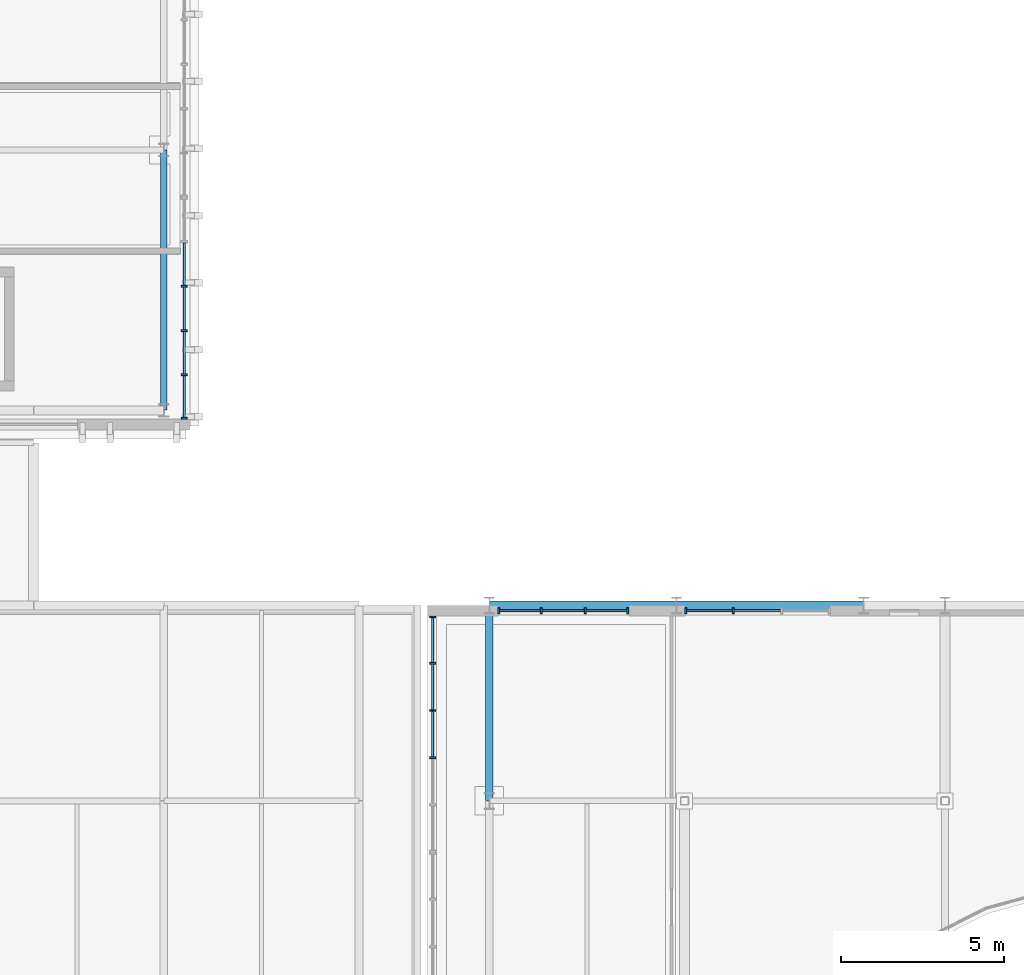
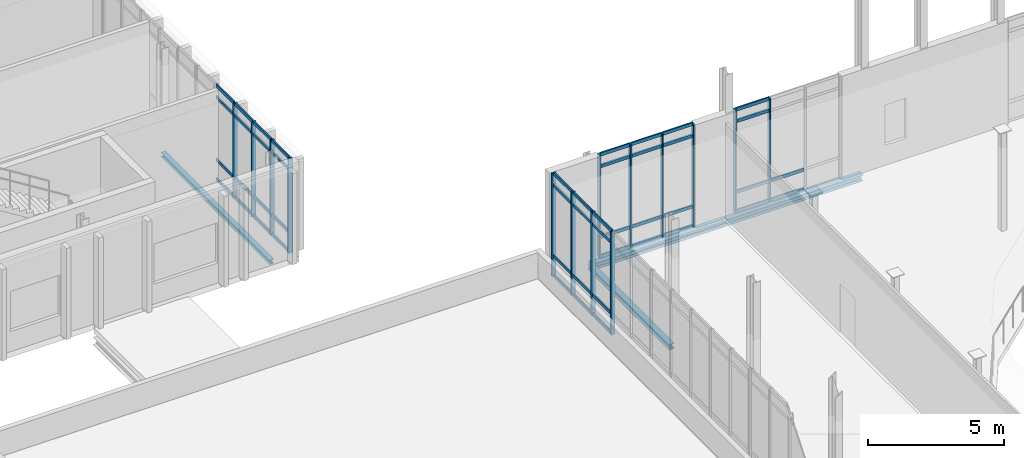
# One storey, part 19 of 86: 60 members, 4 beams, 4 elements without a shape of their own.
"""IFC4 building model written with IfcOpenShell, lengths in metres."""

from ifc_helpers import new_model, si_unit, direction, frame, origin, origin_2d, place, context, subcontext, project, spatial, rectangle, i_section, extrude, material, material_profile, profile_set, type_object, element, aggregate, save


model = new_model("IFC4")

# Units and contexts
model_context = context("Model", 3, precision=1e-05, world=origin(), true_north=direction((0.0, 1.0)))
body_context = subcontext(model_context, "Body", "Model", "MODEL_VIEW")
ifc_project = project(units=[si_unit("LENGTHUNIT", "METRE"), si_unit("AREAUNIT", "SQUARE_METRE"), si_unit("VOLUMEUNIT", "CUBIC_METRE"), si_unit("PLANEANGLEUNIT", "RADIAN"), si_unit("MASSUNIT", "GRAM", prefix="KILO")], contexts=[model_context])

# Site, building, storey
site_placement = place(None, origin())
site = spatial("IfcSite", under=ifc_project, at=site_placement, CompositionType="ELEMENT")
building_placement = place(site_placement, origin())
building = spatial("IfcBuilding", under=site, at=building_placement, Name="Cymarion Research Institute", CompositionType="ELEMENT")
storey_placement = place(building_placement, frame((0.0, 0.0, 13.800048828125)))
storey = spatial("IfcBuildingStorey", under=building, at=storey_placement, Name="L03", CompositionType="ELEMENT", Elevation=13.800048828125)

# Curtain wall, members
ifc_material_1 = material(Name="Anodised aluminium unitised curtain wall with Low-E glazing", Category="aluminium")
curtain_wall_type_1 = type_object("IfcCurtainWallType", Name="UNITISED CURTAIN WALL CW32 4460X4620", PredefinedType="NOTDEFINED", material=ifc_material_1)
curtain_wall_1_placement = place(storey_placement, origin())
curtain_wall_1 = element("IfcCurtainWall", 1, at=curtain_wall_1_placement, inside=storey, type_object=curtain_wall_type_1, Name="L03 V2 unitised curtain wall CW32 #145", PredefinedType="NOTDEFINED")
ifc_material_2 = material(Name="Anodised aluminium framing", Category="aluminium")
ifc_material_profile_1 = material_profile(ifc_material_2, rectangle(XDim=0.06005859375, YDim=0.179931640625, at=origin_2d()), Name="ALU MULLION 60x180")
ifc_profile_set_1 = profile_set([ifc_material_profile_1], Name="Anodised aluminium framing")
member_type_1 = type_object("IfcMemberType", Name="CURTAIN WALL MULLION ML01 60X180", PredefinedType="MULLION", material=ifc_profile_set_1)
member_1_placement = place(storey_placement, frame((64.09814453125, 41.340087890625, 0.0), z_axis=(0.0, 0.0, 1.0), x_axis=(-1.0, 0.0, 0.0)))
member_1 = element("IfcMember", 2, at=member_1_placement, type_object=member_type_1, Name="CW32 mullion 3", PredefinedType="MULLION", context=body_context, shape_type="SweptSolid", body=[
    extrude(rectangle(XDim=0.06005859375, YDim=0.179931640625, at=origin_2d()), origin(), (0.0, 0.0, 1.0), 4.619873046875),
])
member_2_placement = place(storey_placement, frame((62.639892578125, 41.340087890625, 0.0), z_axis=(0.0, 0.0, 1.0), x_axis=(-1.0, 0.0, 0.0)))
member_2 = element("IfcMember", 3, at=member_2_placement, type_object=member_type_1, Name="CW32 mullion 4", PredefinedType="MULLION", context=body_context, shape_type="SweptSolid", body=[
    extrude(rectangle(XDim=0.06005859375, YDim=0.179931640625, at=origin_2d()), origin(), (0.0, 0.0, 1.0), 4.619873046875),
])

curtain_wall_type_2 = type_object("IfcCurtainWallType", Name="UNITISED CURTAIN WALL CW33 4030X4620", PredefinedType="NOTDEFINED", material=ifc_material_1)
curtain_wall_2_placement = place(storey_placement, origin())
curtain_wall_2 = element("IfcCurtainWall", 4, at=curtain_wall_2_placement, inside=storey, type_object=curtain_wall_type_2, Name="L03 V2 unitised curtain wall CW33 #146", PredefinedType="NOTDEFINED")
member_3_placement = place(storey_placement, frame((60.857421875, 41.340087890625, 0.0), z_axis=(0.0, 0.0, 1.0), x_axis=(-1.0, 0.0, 0.0)))
member_3 = element("IfcMember", 5, at=member_3_placement, type_object=member_type_1, Name="CW33 mullion 1", PredefinedType="MULLION", context=body_context, shape_type="SweptSolid", body=[
    extrude(rectangle(XDim=0.06005859375, YDim=0.179931640625, at=origin_2d()), origin(), (0.0, 0.0, 1.0), 4.619873046875),
])
member_4_placement = place(storey_placement, frame((59.544921875, 41.340087890625, 0.0), z_axis=(0.0, 0.0, 1.0), x_axis=(-1.0, 0.0, 0.0)))
member_4 = element("IfcMember", 6, at=member_4_placement, type_object=member_type_1, Name="CW33 mullion 2", PredefinedType="MULLION", context=body_context, shape_type="SweptSolid", body=[
    extrude(rectangle(XDim=0.06005859375, YDim=0.179931640625, at=origin_2d()), origin(), (0.0, 0.0, 1.0), 4.619873046875),
])
member_5_placement = place(storey_placement, frame((58.202392578125, 41.340087890625, 0.0), z_axis=(0.0, 0.0, 1.0), x_axis=(-1.0, 0.0, 0.0)))
member_5 = element("IfcMember", 7, at=member_5_placement, type_object=member_type_1, Name="CW33 mullion 3", PredefinedType="MULLION", context=body_context, shape_type="SweptSolid", body=[
    extrude(rectangle(XDim=0.06005859375, YDim=0.179931640625, at=origin_2d()), origin(), (0.0, 0.0, 1.0), 4.619873046875),
])
member_6_placement = place(storey_placement, frame((56.889892578125, 41.340087890625, 0.0), z_axis=(0.0, 0.0, 1.0), x_axis=(-1.0, 0.0, 0.0)))
member_6 = element("IfcMember", 8, at=member_6_placement, type_object=member_type_1, Name="CW33 mullion 4", PredefinedType="MULLION", context=body_context, shape_type="SweptSolid", body=[
    extrude(rectangle(XDim=0.06005859375, YDim=0.179931640625, at=origin_2d()), origin(), (0.0, 0.0, 1.0), 4.619873046875),
])

curtain_wall_type_3 = type_object("IfcCurtainWallType", Name="UNITISED CURTAIN WALL CW34 7260X4620", PredefinedType="NOTDEFINED", material=ifc_material_1)
curtain_wall_3_placement = place(storey_placement, origin())
curtain_wall_3 = element("IfcCurtainWall", 9, at=curtain_wall_3_placement, inside=storey, type_object=curtain_wall_type_3, Name="L03 V2 unitised curtain wall CW34 #147", PredefinedType="NOTDEFINED")
member_7_placement = place(storey_placement, frame((54.860107421875, 41.14990234375, 0.0), z_axis=(0.0, 0.0, 1.0), x_axis=(0.0, -1.0, 0.0)))
member_7 = element("IfcMember", 10, at=member_7_placement, type_object=member_type_1, Name="CW34 mullion 1", PredefinedType="MULLION", context=body_context, shape_type="SweptSolid", body=[
    extrude(rectangle(XDim=0.06005859375, YDim=0.179931640625, at=origin_2d()), origin(), (0.0, 0.0, 1.0), 4.619873046875),
])
member_8_placement = place(storey_placement, frame((54.860107421875, 39.728759765625, 0.0), z_axis=(0.0, 0.0, 1.0), x_axis=(0.0, -1.0, 0.0)))
member_8 = element("IfcMember", 11, at=member_8_placement, type_object=member_type_1, Name="CW34 mullion 2", PredefinedType="MULLION", context=body_context, shape_type="SweptSolid", body=[
    extrude(rectangle(XDim=0.06005859375, YDim=0.179931640625, at=origin_2d()), origin(), (0.0, 0.0, 1.0), 4.619873046875),
])
member_9_placement = place(storey_placement, frame((54.860107421875, 38.277587890625, 0.0), z_axis=(0.0, 0.0, 1.0), x_axis=(0.0, -1.0, 0.0)))
member_9 = element("IfcMember", 12, at=member_9_placement, type_object=member_type_1, Name="CW34 mullion 3", PredefinedType="MULLION", context=body_context, shape_type="SweptSolid", body=[
    extrude(rectangle(XDim=0.06005859375, YDim=0.179931640625, at=origin_2d()), origin(), (0.0, 0.0, 1.0), 4.619873046875),
])
member_10_placement = place(storey_placement, frame((54.860107421875, 36.826416015625, 0.0), z_axis=(0.0, 0.0, 1.0), x_axis=(0.0, -1.0, 0.0)))
member_10 = element("IfcMember", 13, at=member_10_placement, type_object=member_type_1, Name="CW34 mullion 4", PredefinedType="MULLION", context=body_context, shape_type="SweptSolid", body=[
    extrude(rectangle(XDim=0.06005859375, YDim=0.179931640625, at=origin_2d()), origin(), (0.0, 0.0, 1.0), 4.619873046875),
])

curtain_wall_type_4 = type_object("IfcCurtainWallType", Name="UNITISED CURTAIN WALL CW20 6820X4250", PredefinedType="NOTDEFINED", material=ifc_material_1)
curtain_wall_4_placement = place(storey_placement, origin())
curtain_wall_4 = element("IfcCurtainWall", 14, at=curtain_wall_4_placement, inside=storey, type_object=curtain_wall_type_4, Name="L03 V4 unitised curtain wall CW20 #152", PredefinedType="NOTDEFINED")
member_11_placement = place(storey_placement, frame((47.22998046875, 47.251953125, 0.0), z_axis=(0.0, 0.0, 1.0), x_axis=(0.0, 1.0, 0.0)))
member_11 = element("IfcMember", 15, at=member_11_placement, type_object=member_type_1, Name="CW20 mullion 1", PredefinedType="MULLION", context=body_context, shape_type="SweptSolid", body=[
    extrude(rectangle(XDim=0.06005859375, YDim=0.179931640625, at=origin_2d()), origin(), (0.0, 0.0, 1.0), 4.25),
])
member_12_placement = place(storey_placement, frame((47.22998046875, 48.5859375, 0.0), z_axis=(0.0, 0.0, 1.0), x_axis=(0.0, 1.0, 0.0)))
member_12 = element("IfcMember", 16, at=member_12_placement, type_object=member_type_1, Name="CW20 mullion 2", PredefinedType="MULLION", context=body_context, shape_type="SweptSolid", body=[
    extrude(rectangle(XDim=0.06005859375, YDim=0.179931640625, at=origin_2d()), origin(), (0.0, 0.0, 1.0), 4.25),
])
member_13_placement = place(storey_placement, frame((47.22998046875, 49.94970703125, 0.0), z_axis=(0.0, 0.0, 1.0), x_axis=(0.0, 1.0, 0.0)))
member_13 = element("IfcMember", 17, at=member_13_placement, type_object=member_type_1, Name="CW20 mullion 3", PredefinedType="MULLION", context=body_context, shape_type="SweptSolid", body=[
    extrude(rectangle(XDim=0.06005859375, YDim=0.179931640625, at=origin_2d()), origin(), (0.0, 0.0, 1.0), 4.25),
])
member_14_placement = place(storey_placement, frame((47.22998046875, 51.313720703125, 0.0), z_axis=(0.0, 0.0, 1.0), x_axis=(0.0, 1.0, 0.0)))
member_14 = element("IfcMember", 18, at=member_14_placement, type_object=member_type_1, Name="CW20 mullion 4", PredefinedType="MULLION", context=body_context, shape_type="SweptSolid", body=[
    extrude(rectangle(XDim=0.06005859375, YDim=0.179931640625, at=origin_2d()), origin(), (0.0, 0.0, 1.0), 4.25),
])

# Member
ifc_material_profile_2 = material_profile(ifc_material_2, rectangle(XDim=0.06005859375, YDim=0.14990234375, at=origin_2d()), Name="ALU TRANSOM 60x150")
ifc_profile_set_2 = profile_set([ifc_material_profile_2], Name="Anodised aluminium framing")
member_type_2 = type_object("IfcMemberType", Name="CURTAIN WALL TRANSOM TR01 60X150", PredefinedType="USERDEFINED", material=ifc_profile_set_2)
member_15_placement = place(storey_placement, frame((65.556396484375, 41.340087890625, 0.030029296875), z_axis=(-1.0, 0.0, 0.0), x_axis=(0.0, -1.0, 0.0)))
member_15 = element("IfcMember", 19, at=member_15_placement, type_object=member_type_2, Name="CW32 transom 2.1", ObjectType="TRANSOM", PredefinedType="USERDEFINED", context=body_context, shape_type="SweptSolid", body=[
    extrude(rectangle(XDim=0.06005859375, YDim=0.14990234375, at=origin_2d()), origin(), (0.0, 0.0, 1.0), 1.42822265625),
])

member_16_placement = place(storey_placement, frame((65.556396484375, 41.340087890625, 0.89990234375), z_axis=(-1.0, 0.0, 0.0), x_axis=(0.0, -1.0, 0.0)))
member_16 = element("IfcMember", 20, at=member_16_placement, type_object=member_type_2, Name="CW32 transom 2.2", ObjectType="TRANSOM", PredefinedType="USERDEFINED", context=body_context, shape_type="SweptSolid", body=[
    extrude(rectangle(XDim=0.06005859375, YDim=0.14990234375, at=origin_2d()), origin(), (0.0, 0.0, 1.0), 1.42822265625),
])

member_17_placement = place(storey_placement, frame((64.068115234375, 41.340087890625, 0.030029296875), z_axis=(-1.0, 0.0, 0.0), x_axis=(0.0, -1.0, 0.0)))
member_17 = element("IfcMember", 21, at=member_17_placement, type_object=member_type_2, Name="CW32 transom 3.1", ObjectType="TRANSOM", PredefinedType="USERDEFINED", context=body_context, shape_type="SweptSolid", body=[
    extrude(rectangle(XDim=0.06005859375, YDim=0.14990234375, at=origin_2d()), origin(), (0.0, 0.0, 1.0), 1.398193359375),
])

member_18_placement = place(storey_placement, frame((64.068115234375, 41.340087890625, 0.89990234375), z_axis=(-1.0, 0.0, 0.0), x_axis=(0.0, -1.0, 0.0)))
member_18 = element("IfcMember", 22, at=member_18_placement, type_object=member_type_2, Name="CW32 transom 3.2", ObjectType="TRANSOM", PredefinedType="USERDEFINED", context=body_context, shape_type="SweptSolid", body=[
    extrude(rectangle(XDim=0.06005859375, YDim=0.14990234375, at=origin_2d()), origin(), (0.0, 0.0, 1.0), 1.398193359375),
])

member_19_placement = place(storey_placement, frame((64.068115234375, 41.340087890625, 4.070068359375), z_axis=(-1.0, 0.0, 0.0), x_axis=(0.0, -1.0, 0.0)))
member_19 = element("IfcMember", 23, at=member_19_placement, type_object=member_type_2, Name="CW32 transom 3.3", ObjectType="TRANSOM", PredefinedType="USERDEFINED", context=body_context, shape_type="SweptSolid", body=[
    extrude(rectangle(XDim=0.06005859375, YDim=0.14990234375, at=origin_2d()), origin(), (0.0, 0.0, 1.0), 1.398193359375),
])

member_20_placement = place(storey_placement, frame((64.068115234375, 41.340087890625, 4.58984375), z_axis=(-1.0, 0.0, 0.0), x_axis=(0.0, -1.0, 0.0)))
member_20 = element("IfcMember", 24, at=member_20_placement, type_object=member_type_2, Name="CW32 transom 3.4", ObjectType="TRANSOM", PredefinedType="USERDEFINED", context=body_context, shape_type="SweptSolid", body=[
    extrude(rectangle(XDim=0.06005859375, YDim=0.14990234375, at=origin_2d()), origin(), (0.0, 0.0, 1.0), 1.398193359375),
])

aggregate(curtain_wall_1, [member_1, member_2, member_15, member_16, member_17, member_18, member_19, member_20])

member_21_placement = place(storey_placement, frame((60.827392578125, 41.340087890625, 0.030029296875), z_axis=(-1.0, 0.0, 0.0), x_axis=(0.0, -1.0, 0.0)))
member_21 = element("IfcMember", 25, at=member_21_placement, type_object=member_type_2, Name="CW33 transom 1.1", ObjectType="TRANSOM", PredefinedType="USERDEFINED", context=body_context, shape_type="SweptSolid", body=[
    extrude(rectangle(XDim=0.06005859375, YDim=0.14990234375, at=origin_2d()), origin(), (0.0, 0.0, 1.0), 1.25244140625),
])

member_22_placement = place(storey_placement, frame((60.827392578125, 41.340087890625, 0.89990234375), z_axis=(-1.0, 0.0, 0.0), x_axis=(0.0, -1.0, 0.0)))
member_22 = element("IfcMember", 26, at=member_22_placement, type_object=member_type_2, Name="CW33 transom 1.2", ObjectType="TRANSOM", PredefinedType="USERDEFINED", context=body_context, shape_type="SweptSolid", body=[
    extrude(rectangle(XDim=0.06005859375, YDim=0.14990234375, at=origin_2d()), origin(), (0.0, 0.0, 1.0), 1.25244140625),
])

member_23_placement = place(storey_placement, frame((60.827392578125, 41.340087890625, 4.070068359375), z_axis=(-1.0, 0.0, 0.0), x_axis=(0.0, -1.0, 0.0)))
member_23 = element("IfcMember", 27, at=member_23_placement, type_object=member_type_2, Name="CW33 transom 1.3", ObjectType="TRANSOM", PredefinedType="USERDEFINED", context=body_context, shape_type="SweptSolid", body=[
    extrude(rectangle(XDim=0.06005859375, YDim=0.14990234375, at=origin_2d()), origin(), (0.0, 0.0, 1.0), 1.25244140625),
])

member_24_placement = place(storey_placement, frame((60.827392578125, 41.340087890625, 4.58984375), z_axis=(-1.0, 0.0, 0.0), x_axis=(0.0, -1.0, 0.0)))
member_24 = element("IfcMember", 28, at=member_24_placement, type_object=member_type_2, Name="CW33 transom 1.4", ObjectType="TRANSOM", PredefinedType="USERDEFINED", context=body_context, shape_type="SweptSolid", body=[
    extrude(rectangle(XDim=0.06005859375, YDim=0.14990234375, at=origin_2d()), origin(), (0.0, 0.0, 1.0), 1.25244140625),
])

member_25_placement = place(storey_placement, frame((59.514892578125, 41.340087890625, 0.030029296875), z_axis=(-1.0, 0.0, 0.0), x_axis=(0.0, -1.0, 0.0)))
member_25 = element("IfcMember", 29, at=member_25_placement, type_object=member_type_2, Name="CW33 transom 2.1", ObjectType="TRANSOM", PredefinedType="USERDEFINED", context=body_context, shape_type="SweptSolid", body=[
    extrude(rectangle(XDim=0.06005859375, YDim=0.14990234375, at=origin_2d()), origin(), (0.0, 0.0, 1.0), 1.282470703125),
])

member_26_placement = place(storey_placement, frame((59.514892578125, 41.340087890625, 0.89990234375), z_axis=(-1.0, 0.0, 0.0), x_axis=(0.0, -1.0, 0.0)))
member_26 = element("IfcMember", 30, at=member_26_placement, type_object=member_type_2, Name="CW33 transom 2.2", ObjectType="TRANSOM", PredefinedType="USERDEFINED", context=body_context, shape_type="SweptSolid", body=[
    extrude(rectangle(XDim=0.06005859375, YDim=0.14990234375, at=origin_2d()), origin(), (0.0, 0.0, 1.0), 1.282470703125),
])

member_27_placement = place(storey_placement, frame((59.514892578125, 41.340087890625, 4.070068359375), z_axis=(-1.0, 0.0, 0.0), x_axis=(0.0, -1.0, 0.0)))
member_27 = element("IfcMember", 31, at=member_27_placement, type_object=member_type_2, Name="CW33 transom 2.3", ObjectType="TRANSOM", PredefinedType="USERDEFINED", context=body_context, shape_type="SweptSolid", body=[
    extrude(rectangle(XDim=0.06005859375, YDim=0.14990234375, at=origin_2d()), origin(), (0.0, 0.0, 1.0), 1.282470703125),
])

member_28_placement = place(storey_placement, frame((59.514892578125, 41.340087890625, 4.58984375), z_axis=(-1.0, 0.0, 0.0), x_axis=(0.0, -1.0, 0.0)))
member_28 = element("IfcMember", 32, at=member_28_placement, type_object=member_type_2, Name="CW33 transom 2.4", ObjectType="TRANSOM", PredefinedType="USERDEFINED", context=body_context, shape_type="SweptSolid", body=[
    extrude(rectangle(XDim=0.06005859375, YDim=0.14990234375, at=origin_2d()), origin(), (0.0, 0.0, 1.0), 1.282470703125),
])

member_29_placement = place(storey_placement, frame((58.17236328125, 41.340087890625, 0.030029296875), z_axis=(-1.0, 0.0, 0.0), x_axis=(0.0, -1.0, 0.0)))
member_29 = element("IfcMember", 33, at=member_29_placement, type_object=member_type_2, Name="CW33 transom 3.1", ObjectType="TRANSOM", PredefinedType="USERDEFINED", context=body_context, shape_type="SweptSolid", body=[
    extrude(rectangle(XDim=0.06005859375, YDim=0.14990234375, at=origin_2d()), origin(), (0.0, 0.0, 1.0), 1.25244140625),
])

member_30_placement = place(storey_placement, frame((58.17236328125, 41.340087890625, 0.89990234375), z_axis=(-1.0, 0.0, 0.0), x_axis=(0.0, -1.0, 0.0)))
member_30 = element("IfcMember", 34, at=member_30_placement, type_object=member_type_2, Name="CW33 transom 3.2", ObjectType="TRANSOM", PredefinedType="USERDEFINED", context=body_context, shape_type="SweptSolid", body=[
    extrude(rectangle(XDim=0.06005859375, YDim=0.14990234375, at=origin_2d()), origin(), (0.0, 0.0, 1.0), 1.25244140625),
])

member_31_placement = place(storey_placement, frame((58.17236328125, 41.340087890625, 4.070068359375), z_axis=(-1.0, 0.0, 0.0), x_axis=(0.0, -1.0, 0.0)))
member_31 = element("IfcMember", 35, at=member_31_placement, type_object=member_type_2, Name="CW33 transom 3.3", ObjectType="TRANSOM", PredefinedType="USERDEFINED", context=body_context, shape_type="SweptSolid", body=[
    extrude(rectangle(XDim=0.06005859375, YDim=0.14990234375, at=origin_2d()), origin(), (0.0, 0.0, 1.0), 1.25244140625),
])

member_32_placement = place(storey_placement, frame((58.17236328125, 41.340087890625, 4.58984375), z_axis=(-1.0, 0.0, 0.0), x_axis=(0.0, -1.0, 0.0)))
member_32 = element("IfcMember", 36, at=member_32_placement, type_object=member_type_2, Name="CW33 transom 3.4", ObjectType="TRANSOM", PredefinedType="USERDEFINED", context=body_context, shape_type="SweptSolid", body=[
    extrude(rectangle(XDim=0.06005859375, YDim=0.14990234375, at=origin_2d()), origin(), (0.0, 0.0, 1.0), 1.25244140625),
])

aggregate(curtain_wall_2, [member_3, member_4, member_5, member_6, member_21, member_22, member_23, member_24, member_25, member_26, member_27, member_28, member_29, member_30, member_31, member_32])

member_33_placement = place(storey_placement, frame((54.860107421875, 41.1201171875, 0.030029296875), z_axis=(0.0, -1.0, 0.0), x_axis=(1.0, 0.0, 0.0)))
member_33 = element("IfcMember", 37, at=member_33_placement, type_object=member_type_2, Name="CW34 transom 1.1", ObjectType="TRANSOM", PredefinedType="USERDEFINED", context=body_context, shape_type="SweptSolid", body=[
    extrude(rectangle(XDim=0.06005859375, YDim=0.14990234375, at=origin_2d()), origin(), (0.0, 0.0, 1.0), 1.361328125),
])

member_34_placement = place(storey_placement, frame((54.860107421875, 41.1201171875, 0.89990234375), z_axis=(0.0, -1.0, 0.0), x_axis=(1.0, 0.0, 0.0)))
member_34 = element("IfcMember", 38, at=member_34_placement, type_object=member_type_2, Name="CW34 transom 1.2", ObjectType="TRANSOM", PredefinedType="USERDEFINED", context=body_context, shape_type="SweptSolid", body=[
    extrude(rectangle(XDim=0.06005859375, YDim=0.14990234375, at=origin_2d()), origin(), (0.0, 0.0, 1.0), 1.361328125),
])

member_35_placement = place(storey_placement, frame((54.860107421875, 41.1201171875, 4.070068359375), z_axis=(0.0, -1.0, 0.0), x_axis=(1.0, 0.0, 0.0)))
member_35 = element("IfcMember", 39, at=member_35_placement, type_object=member_type_2, Name="CW34 transom 1.3", ObjectType="TRANSOM", PredefinedType="USERDEFINED", context=body_context, shape_type="SweptSolid", body=[
    extrude(rectangle(XDim=0.06005859375, YDim=0.14990234375, at=origin_2d()), origin(), (0.0, 0.0, 1.0), 1.361328125),
])

member_36_placement = place(storey_placement, frame((54.860107421875, 41.1201171875, 4.58984375), z_axis=(0.0, -1.0, 0.0), x_axis=(1.0, 0.0, 0.0)))
member_36 = element("IfcMember", 40, at=member_36_placement, type_object=member_type_2, Name="CW34 transom 1.4", ObjectType="TRANSOM", PredefinedType="USERDEFINED", context=body_context, shape_type="SweptSolid", body=[
    extrude(rectangle(XDim=0.06005859375, YDim=0.14990234375, at=origin_2d()), origin(), (0.0, 0.0, 1.0), 1.361328125),
])

member_37_placement = place(storey_placement, frame((54.860107421875, 39.69873046875, 0.030029296875), z_axis=(0.0, -1.0, 0.0), x_axis=(1.0, 0.0, 0.0)))
member_37 = element("IfcMember", 41, at=member_37_placement, type_object=member_type_2, Name="CW34 transom 2.1", ObjectType="TRANSOM", PredefinedType="USERDEFINED", context=body_context, shape_type="SweptSolid", body=[
    extrude(rectangle(XDim=0.06005859375, YDim=0.14990234375, at=origin_2d()), origin(), (0.0, 0.0, 1.0), 1.39111328125),
])

member_38_placement = place(storey_placement, frame((54.860107421875, 39.69873046875, 0.89990234375), z_axis=(0.0, -1.0, 0.0), x_axis=(1.0, 0.0, 0.0)))
member_38 = element("IfcMember", 42, at=member_38_placement, type_object=member_type_2, Name="CW34 transom 2.2", ObjectType="TRANSOM", PredefinedType="USERDEFINED", context=body_context, shape_type="SweptSolid", body=[
    extrude(rectangle(XDim=0.06005859375, YDim=0.14990234375, at=origin_2d()), origin(), (0.0, 0.0, 1.0), 1.39111328125),
])

member_39_placement = place(storey_placement, frame((54.860107421875, 39.69873046875, 4.070068359375), z_axis=(0.0, -1.0, 0.0), x_axis=(1.0, 0.0, 0.0)))
member_39 = element("IfcMember", 43, at=member_39_placement, type_object=member_type_2, Name="CW34 transom 2.3", ObjectType="TRANSOM", PredefinedType="USERDEFINED", context=body_context, shape_type="SweptSolid", body=[
    extrude(rectangle(XDim=0.06005859375, YDim=0.14990234375, at=origin_2d()), origin(), (0.0, 0.0, 1.0), 1.39111328125),
])

member_40_placement = place(storey_placement, frame((54.860107421875, 39.69873046875, 4.58984375), z_axis=(0.0, -1.0, 0.0), x_axis=(1.0, 0.0, 0.0)))
member_40 = element("IfcMember", 44, at=member_40_placement, type_object=member_type_2, Name="CW34 transom 2.4", ObjectType="TRANSOM", PredefinedType="USERDEFINED", context=body_context, shape_type="SweptSolid", body=[
    extrude(rectangle(XDim=0.06005859375, YDim=0.14990234375, at=origin_2d()), origin(), (0.0, 0.0, 1.0), 1.39111328125),
])

member_41_placement = place(storey_placement, frame((54.860107421875, 38.24755859375, 0.030029296875), z_axis=(0.0, -1.0, 0.0), x_axis=(1.0, 0.0, 0.0)))
member_41 = element("IfcMember", 45, at=member_41_placement, type_object=member_type_2, Name="CW34 transom 3.1", ObjectType="TRANSOM", PredefinedType="USERDEFINED", context=body_context, shape_type="SweptSolid", body=[
    extrude(rectangle(XDim=0.06005859375, YDim=0.14990234375, at=origin_2d()), origin(), (0.0, 0.0, 1.0), 1.39111328125),
])

member_42_placement = place(storey_placement, frame((54.860107421875, 38.24755859375, 0.89990234375), z_axis=(0.0, -1.0, 0.0), x_axis=(1.0, 0.0, 0.0)))
member_42 = element("IfcMember", 46, at=member_42_placement, type_object=member_type_2, Name="CW34 transom 3.2", ObjectType="TRANSOM", PredefinedType="USERDEFINED", context=body_context, shape_type="SweptSolid", body=[
    extrude(rectangle(XDim=0.06005859375, YDim=0.14990234375, at=origin_2d()), origin(), (0.0, 0.0, 1.0), 1.39111328125),
])

member_43_placement = place(storey_placement, frame((54.860107421875, 38.24755859375, 4.070068359375), z_axis=(0.0, -1.0, 0.0), x_axis=(1.0, 0.0, 0.0)))
member_43 = element("IfcMember", 47, at=member_43_placement, type_object=member_type_2, Name="CW34 transom 3.3", ObjectType="TRANSOM", PredefinedType="USERDEFINED", context=body_context, shape_type="SweptSolid", body=[
    extrude(rectangle(XDim=0.06005859375, YDim=0.14990234375, at=origin_2d()), origin(), (0.0, 0.0, 1.0), 1.39111328125),
])

member_44_placement = place(storey_placement, frame((54.860107421875, 38.24755859375, 4.58984375), z_axis=(0.0, -1.0, 0.0), x_axis=(1.0, 0.0, 0.0)))
member_44 = element("IfcMember", 48, at=member_44_placement, type_object=member_type_2, Name="CW34 transom 3.4", ObjectType="TRANSOM", PredefinedType="USERDEFINED", context=body_context, shape_type="SweptSolid", body=[
    extrude(rectangle(XDim=0.06005859375, YDim=0.14990234375, at=origin_2d()), origin(), (0.0, 0.0, 1.0), 1.39111328125),
])

aggregate(curtain_wall_3, [member_7, member_8, member_9, member_10, member_33, member_34, member_35, member_36, member_37, member_38, member_39, member_40, member_41, member_42, member_43, member_44])

member_45_placement = place(storey_placement, frame((47.22998046875, 47.281982421875, 0.030029296875), z_axis=(0.0, 1.0, 0.0), x_axis=(-1.0, 0.0, 0.0)))
member_45 = element("IfcMember", 49, at=member_45_placement, type_object=member_type_2, Name="CW20 transom 1.1", ObjectType="TRANSOM", PredefinedType="USERDEFINED", context=body_context, shape_type="SweptSolid", body=[
    extrude(rectangle(XDim=0.06005859375, YDim=0.14990234375, at=origin_2d()), origin(), (0.0, 0.0, 1.0), 1.27392578125),
])

member_46_placement = place(storey_placement, frame((47.22998046875, 47.281982421875, 0.89990234375), z_axis=(0.0, 1.0, 0.0), x_axis=(-1.0, 0.0, 0.0)))
member_46 = element("IfcMember", 50, at=member_46_placement, type_object=member_type_2, Name="CW20 transom 1.2", ObjectType="TRANSOM", PredefinedType="USERDEFINED", context=body_context, shape_type="SweptSolid", body=[
    extrude(rectangle(XDim=0.06005859375, YDim=0.14990234375, at=origin_2d()), origin(), (0.0, 0.0, 1.0), 1.27392578125),
])

member_47_placement = place(storey_placement, frame((47.22998046875, 47.281982421875, 3.699951171875), z_axis=(0.0, 1.0, 0.0), x_axis=(-1.0, 0.0, 0.0)))
member_47 = element("IfcMember", 51, at=member_47_placement, type_object=member_type_2, Name="CW20 transom 1.3", ObjectType="TRANSOM", PredefinedType="USERDEFINED", context=body_context, shape_type="SweptSolid", body=[
    extrude(rectangle(XDim=0.06005859375, YDim=0.14990234375, at=origin_2d()), origin(), (0.0, 0.0, 1.0), 1.27392578125),
])

member_48_placement = place(storey_placement, frame((47.22998046875, 47.281982421875, 4.219970703125), z_axis=(0.0, 1.0, 0.0), x_axis=(-1.0, 0.0, 0.0)))
member_48 = element("IfcMember", 52, at=member_48_placement, type_object=member_type_2, Name="CW20 transom 1.4", ObjectType="TRANSOM", PredefinedType="USERDEFINED", context=body_context, shape_type="SweptSolid", body=[
    extrude(rectangle(XDim=0.06005859375, YDim=0.14990234375, at=origin_2d()), origin(), (0.0, 0.0, 1.0), 1.27392578125),
])

member_49_placement = place(storey_placement, frame((47.22998046875, 48.615966796875, 0.030029296875), z_axis=(0.0, 1.0, 0.0), x_axis=(-1.0, 0.0, 0.0)))
member_49 = element("IfcMember", 53, at=member_49_placement, type_object=member_type_2, Name="CW20 transom 2.1", ObjectType="TRANSOM", PredefinedType="USERDEFINED", context=body_context, shape_type="SweptSolid", body=[
    extrude(rectangle(XDim=0.06005859375, YDim=0.14990234375, at=origin_2d()), origin(), (0.0, 0.0, 1.0), 1.303955078125),
])

member_50_placement = place(storey_placement, frame((47.22998046875, 48.615966796875, 0.89990234375), z_axis=(0.0, 1.0, 0.0), x_axis=(-1.0, 0.0, 0.0)))
member_50 = element("IfcMember", 54, at=member_50_placement, type_object=member_type_2, Name="CW20 transom 2.2", ObjectType="TRANSOM", PredefinedType="USERDEFINED", context=body_context, shape_type="SweptSolid", body=[
    extrude(rectangle(XDim=0.06005859375, YDim=0.14990234375, at=origin_2d()), origin(), (0.0, 0.0, 1.0), 1.303955078125),
])

member_51_placement = place(storey_placement, frame((47.22998046875, 48.615966796875, 3.699951171875), z_axis=(0.0, 1.0, 0.0), x_axis=(-1.0, 0.0, 0.0)))
member_51 = element("IfcMember", 55, at=member_51_placement, type_object=member_type_2, Name="CW20 transom 2.3", ObjectType="TRANSOM", PredefinedType="USERDEFINED", context=body_context, shape_type="SweptSolid", body=[
    extrude(rectangle(XDim=0.06005859375, YDim=0.14990234375, at=origin_2d()), origin(), (0.0, 0.0, 1.0), 1.303955078125),
])

member_52_placement = place(storey_placement, frame((47.22998046875, 48.615966796875, 4.219970703125), z_axis=(0.0, 1.0, 0.0), x_axis=(-1.0, 0.0, 0.0)))
member_52 = element("IfcMember", 56, at=member_52_placement, type_object=member_type_2, Name="CW20 transom 2.4", ObjectType="TRANSOM", PredefinedType="USERDEFINED", context=body_context, shape_type="SweptSolid", body=[
    extrude(rectangle(XDim=0.06005859375, YDim=0.14990234375, at=origin_2d()), origin(), (0.0, 0.0, 1.0), 1.303955078125),
])

member_53_placement = place(storey_placement, frame((47.22998046875, 49.979736328125, 0.030029296875), z_axis=(0.0, 1.0, 0.0), x_axis=(-1.0, 0.0, 0.0)))
member_53 = element("IfcMember", 57, at=member_53_placement, type_object=member_type_2, Name="CW20 transom 3.1", ObjectType="TRANSOM", PredefinedType="USERDEFINED", context=body_context, shape_type="SweptSolid", body=[
    extrude(rectangle(XDim=0.06005859375, YDim=0.14990234375, at=origin_2d()), origin(), (0.0, 0.0, 1.0), 1.303955078125),
])

member_54_placement = place(storey_placement, frame((47.22998046875, 49.979736328125, 0.89990234375), z_axis=(0.0, 1.0, 0.0), x_axis=(-1.0, 0.0, 0.0)))
member_54 = element("IfcMember", 58, at=member_54_placement, type_object=member_type_2, Name="CW20 transom 3.2", ObjectType="TRANSOM", PredefinedType="USERDEFINED", context=body_context, shape_type="SweptSolid", body=[
    extrude(rectangle(XDim=0.06005859375, YDim=0.14990234375, at=origin_2d()), origin(), (0.0, 0.0, 1.0), 1.303955078125),
])

member_55_placement = place(storey_placement, frame((47.22998046875, 49.979736328125, 3.699951171875), z_axis=(0.0, 1.0, 0.0), x_axis=(-1.0, 0.0, 0.0)))
member_55 = element("IfcMember", 59, at=member_55_placement, type_object=member_type_2, Name="CW20 transom 3.3", ObjectType="TRANSOM", PredefinedType="USERDEFINED", context=body_context, shape_type="SweptSolid", body=[
    extrude(rectangle(XDim=0.06005859375, YDim=0.14990234375, at=origin_2d()), origin(), (0.0, 0.0, 1.0), 1.303955078125),
])

member_56_placement = place(storey_placement, frame((47.22998046875, 49.979736328125, 4.219970703125), z_axis=(0.0, 1.0, 0.0), x_axis=(-1.0, 0.0, 0.0)))
member_56 = element("IfcMember", 60, at=member_56_placement, type_object=member_type_2, Name="CW20 transom 3.4", ObjectType="TRANSOM", PredefinedType="USERDEFINED", context=body_context, shape_type="SweptSolid", body=[
    extrude(rectangle(XDim=0.06005859375, YDim=0.14990234375, at=origin_2d()), origin(), (0.0, 0.0, 1.0), 1.303955078125),
])

member_57_placement = place(storey_placement, frame((47.22998046875, 51.34375, 0.030029296875), z_axis=(0.0, 1.0, 0.0), x_axis=(-1.0, 0.0, 0.0)))
member_57 = element("IfcMember", 61, at=member_57_placement, type_object=member_type_2, Name="CW20 transom 4.1", ObjectType="TRANSOM", PredefinedType="USERDEFINED", context=body_context, shape_type="SweptSolid", body=[
    extrude(rectangle(XDim=0.06005859375, YDim=0.14990234375, at=origin_2d()), origin(), (0.0, 0.0, 1.0), 1.303955078125),
])

member_58_placement = place(storey_placement, frame((47.22998046875, 51.34375, 0.89990234375), z_axis=(0.0, 1.0, 0.0), x_axis=(-1.0, 0.0, 0.0)))
member_58 = element("IfcMember", 62, at=member_58_placement, type_object=member_type_2, Name="CW20 transom 4.2", ObjectType="TRANSOM", PredefinedType="USERDEFINED", context=body_context, shape_type="SweptSolid", body=[
    extrude(rectangle(XDim=0.06005859375, YDim=0.14990234375, at=origin_2d()), origin(), (0.0, 0.0, 1.0), 1.303955078125),
])

member_59_placement = place(storey_placement, frame((47.22998046875, 51.34375, 3.699951171875), z_axis=(0.0, 1.0, 0.0), x_axis=(-1.0, 0.0, 0.0)))
member_59 = element("IfcMember", 63, at=member_59_placement, type_object=member_type_2, Name="CW20 transom 4.3", ObjectType="TRANSOM", PredefinedType="USERDEFINED", context=body_context, shape_type="SweptSolid", body=[
    extrude(rectangle(XDim=0.06005859375, YDim=0.14990234375, at=origin_2d()), origin(), (0.0, 0.0, 1.0), 1.303955078125),
])

member_60_placement = place(storey_placement, frame((47.22998046875, 51.34375, 4.219970703125), z_axis=(0.0, 1.0, 0.0), x_axis=(-1.0, 0.0, 0.0)))
member_60 = element("IfcMember", 64, at=member_60_placement, type_object=member_type_2, Name="CW20 transom 4.4", ObjectType="TRANSOM", PredefinedType="USERDEFINED", context=body_context, shape_type="SweptSolid", body=[
    extrude(rectangle(XDim=0.06005859375, YDim=0.14990234375, at=origin_2d()), origin(), (0.0, 0.0, 1.0), 1.303955078125),
])

aggregate(curtain_wall_4, [member_11, member_12, member_13, member_14, member_45, member_46, member_47, member_48, member_49, member_50, member_51, member_52, member_53, member_54, member_55, member_56, member_57, member_58, member_59, member_60])

# Beams
ifc_material_3 = material(Name="Steel S355", Category="steel")
ifc_material_profile_3 = material_profile(ifc_material_3, i_section(OverallWidth=0.280029296875, OverallDepth=0.27001953125, WebThickness=0.008056640625, FlangeThickness=0.012939453125, FilletRadius=0.02392578125, at=origin_2d()), Name="HEA 280")
ifc_profile_set_3 = profile_set([ifc_material_profile_3], Name="Steel S355")
beam_type_1 = type_object("IfcBeamType", Name="SPANDREL BEAM SPB02 HEA 280", PredefinedType="SPANDREL", material=ifc_profile_set_3)
for number, where, z_axis, x_axis, name in (
    (65, (56.60595703125, 41.5, -0.385009765625), (1.0, 0.0, 0.0), (0.0, 1.0, 0.0), "L03 V2 girder SPB02 #1302"),
    (66, (62.35595703125, 41.5, -0.385009765625), (1.0, 0.0, 0.0), (0.0, 1.0, 0.0), "L03 V2 girder SPB02 #1303"),
):
    element("IfcBeam", number, at=place(storey_placement, frame(where, z_axis=z_axis, x_axis=x_axis)), inside=storey, type_object=beam_type_1, Name=name, PredefinedType="SPANDREL", context=body_context, shape_type="SweptSolid", body=[
        extrude(i_section(OverallWidth=0.280029296875, OverallDepth=0.27001953125, WebThickness=0.008056640625, FlangeThickness=0.012939453125, FilletRadius=0.02392578125, at=origin_2d()), origin(), (0.0, 0.0, 1.0), 5.738037109375),
    ])
ifc_material_profile_4 = material_profile(ifc_material_3, i_section(OverallWidth=0.239990234375, OverallDepth=0.22998046875, WebThickness=0.007568359375, FlangeThickness=0.011962890625, FilletRadius=0.02099609375, at=origin_2d()), Name="HEA 240")
ifc_profile_set_4 = profile_set([ifc_material_profile_4], Name="Steel S355")
beam_type_2 = type_object("IfcBeamType", Name="SPANDREL BEAM SPB03 HEA 240", PredefinedType="SPANDREL", material=ifc_profile_set_4)
beam_1_placement = place(storey_placement, frame((56.60009765625, 35.506103515625, -0.364990234375), z_axis=(0.0, 1.0, 0.0), x_axis=(-1.0, 0.0, 0.0)))
element("IfcBeam", 67, at=beam_1_placement, inside=storey, type_object=beam_type_2, Name="L03 V2 girder SPB03 #1317", PredefinedType="SPANDREL", context=body_context, shape_type="SweptSolid", body=[
    extrude(i_section(OverallWidth=0.239990234375, OverallDepth=0.22998046875, WebThickness=0.007568359375, FlangeThickness=0.011962890625, FilletRadius=0.02099609375, at=origin_2d()), origin(), (0.0, 0.0, 1.0), 5.98779296875),
])
ifc_material_profile_5 = material_profile(ifc_material_3, i_section(OverallWidth=0.199951171875, OverallDepth=0.18994140625, WebThickness=0.006591796875, FlangeThickness=0.010009765625, FilletRadius=0.01806640625, at=origin_2d()), Name="HEA 200")
ifc_profile_set_5 = profile_set([ifc_material_profile_5], Name="Steel S355")
beam_type_3 = type_object("IfcBeamType", Name="SPANDREL BEAM SPB04 HEA 200", PredefinedType="SPANDREL", material=ifc_profile_set_5)
beam_2_placement = place(storey_placement, frame((46.60009765625, 47.506103515625, -0.344970703125), z_axis=(0.0, 1.0, 0.0), x_axis=(-1.0, 0.0, 0.0)))
element("IfcBeam", 68, at=beam_2_placement, inside=storey, type_object=beam_type_3, Name="L03 V4 girder SPB04 #1497", PredefinedType="SPANDREL", context=body_context, shape_type="SweptSolid", body=[
    extrude(i_section(OverallWidth=0.199951171875, OverallDepth=0.18994140625, WebThickness=0.006591796875, FlangeThickness=0.010009765625, FilletRadius=0.01806640625, at=origin_2d()), origin(), (0.0, 0.0, 1.0), 7.98779296875),
])

save(model, "model.ifc")
